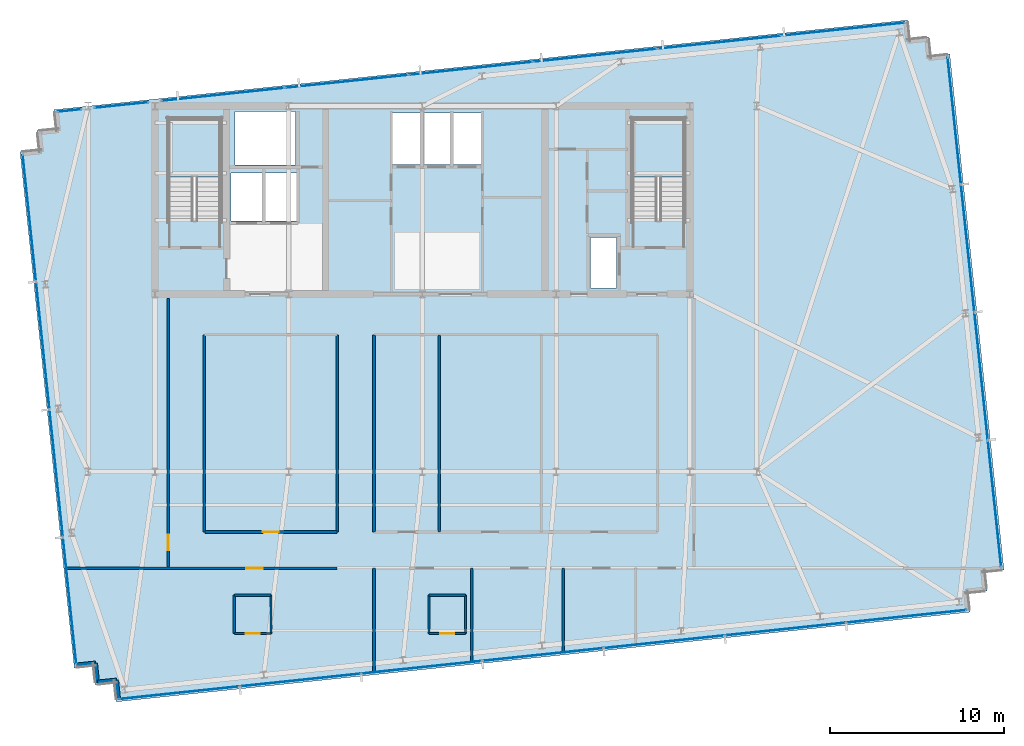
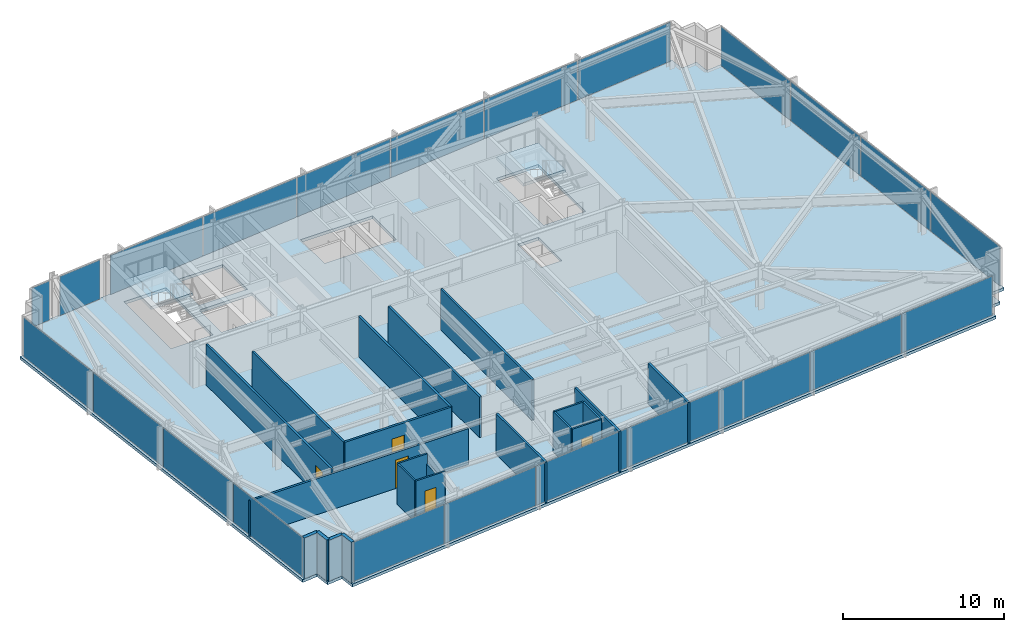
# One storey, part 26 of 32: 23 plates, 22 walls, 5 doors, 3 slabs, 5 openings, 8 elements without a shape of their own.
"""IFC4 building model written with IfcOpenShell, lengths in metres."""

from ifc_helpers import new_model, si_unit, direction, frame, frame_2d, origin, origin_2d, place, context, subcontext, project, spatial, polyline, rectangle, outline, extrude, material, layer, layer_set, type_object, element, fill, aggregate, save


model = new_model("IFC4")

# Units and contexts
model_context = context("Model", 3, precision=1e-05, world=origin(), true_north=direction((0.0, 1.0)))
body_context = subcontext(model_context, "Body", "Model", "MODEL_VIEW")
ifc_project = project(units=[si_unit("LENGTHUNIT", "METRE"), si_unit("AREAUNIT", "SQUARE_METRE"), si_unit("VOLUMEUNIT", "CUBIC_METRE"), si_unit("PLANEANGLEUNIT", "RADIAN"), si_unit("MASSUNIT", "GRAM", prefix="KILO")], contexts=[model_context])

# Site, building, storey
site_placement = place(None, origin())
site = spatial("IfcSite", under=ifc_project, at=site_placement, CompositionType="ELEMENT")
building_placement = place(site_placement, origin())
building = spatial("IfcBuilding", under=site, at=building_placement, Name="Yelkora Congress Tower", CompositionType="ELEMENT")
storey_placement = place(building_placement, frame((0.0, 0.0, 211.10009765625)))
storey = spatial("IfcBuildingStorey", under=building, at=storey_placement, Name="L58", CompositionType="ELEMENT", Elevation=211.10009765625)

# Curtain wall, plates
ifc_material_1 = material(Name="Anodised aluminium and insulated glass", Category="aluminium")
curtain_wall_type = type_object("IfcCurtainWallType", Name="CW-SYS-B4", PredefinedType="NOTDEFINED", material=ifc_material_1)
curtain_wall_1_placement = place(storey_placement, origin())
curtain_wall_1 = element("IfcCurtainWall", 1, at=curtain_wall_1_placement, inside=storey, type_object=curtain_wall_type, Name="L58 Unitised Curtain Wall 5", PredefinedType="NOTDEFINED")
ifc_material_2 = material(Name="Triple-silver diplomatic glass unit B4", Category="glass")
ifc_layer_1 = layer(ifc_material_2, 0.035888671875)
ifc_layer_set_1 = layer_set([ifc_layer_1], Name="Triple-silver diplomatic glass unit B4")
plate_type = type_object("IfcPlateType", Name="PLT-PN-B4", PredefinedType="CURTAIN_PANEL", material=ifc_layer_set_1)
plate_1_placement = place(storey_placement, frame((18.139404296875, 17.7724609375, 0.059814453125), z_axis=(0.0, 0.0, 1.0), x_axis=(-0.104526079034, 0.994522145958, 0.0)))
plate_1 = element("IfcPlate", 2, at=plate_1_placement, type_object=plate_type, Name="CW-B4 panel 1.1", PredefinedType="CURTAIN_PANEL", context=body_context, shape_type="SweptSolid", body=[
    extrude(rectangle(XDim=7.282470703125, YDim=0.035888671875, at=origin_2d()), origin(), (0.0, 0.0, 1.0), 2.9599609375),
])
plate_2_placement = place(storey_placement, frame((17.36962890625, 25.095703125, 0.059814453125), z_axis=(0.0, 0.0, 1.0), x_axis=(-0.104526079034, 0.994522145958, 0.0)))
plate_2 = element("IfcPlate", 3, at=plate_2_placement, type_object=plate_type, Name="CW-B4 panel 2.1", PredefinedType="CURTAIN_PANEL", context=body_context, shape_type="SweptSolid", body=[
    extrude(rectangle(XDim=7.31494140625, YDim=0.035888671875, at=origin_2d()), origin(), (0.0, 0.0, 1.0), 2.9599609375),
])
plate_3_placement = place(storey_placement, frame((16.59814453125, 32.435302734375, 0.059814453125), z_axis=(0.0, 0.0, 1.0), x_axis=(-0.104526079034, 0.994522145958, 0.0)))
plate_3 = element("IfcPlate", 4, at=plate_3_placement, type_object=plate_type, Name="CW-B4 panel 3.1", PredefinedType="CURTAIN_PANEL", context=body_context, shape_type="SweptSolid", body=[
    extrude(rectangle(XDim=7.31494140625, YDim=0.035888671875, at=origin_2d()), origin(), (0.0, 0.0, 1.0), 2.9599609375),
])
plate_4_placement = place(storey_placement, frame((15.82861328125, 39.7587890625, 0.059814453125), z_axis=(0.0, 0.0, 1.0), x_axis=(-0.104526079034, 0.994522145958, 0.0)))
plate_4 = element("IfcPlate", 5, at=plate_4_placement, type_object=plate_type, Name="CW-B4 panel 4.1", PredefinedType="CURTAIN_PANEL", context=body_context, shape_type="SweptSolid", body=[
    extrude(rectangle(XDim=7.282470703125, YDim=0.035888671875, at=origin_2d()), origin(), (0.0, 0.0, 1.0), 2.9599609375),
])
aggregate(curtain_wall_1, [plate_1, plate_2, plate_3, plate_4])

# Curtain wall, plate
curtain_wall_2_placement = place(storey_placement, origin())
curtain_wall_2 = element("IfcCurtainWall", 6, at=curtain_wall_2_placement, inside=storey, type_object=curtain_wall_type, Name="L58 Unitised Curtain Wall 10 (1)", PredefinedType="NOTDEFINED")
plate_5_placement = place(storey_placement, frame((18.136474609375, 45.940185546875, 0.059814453125), z_axis=(0.0, 0.0, 1.0), x_axis=(0.994523910137, 0.104509292244, 0.0)))
plate_5 = element("IfcPlate", 7, at=plate_5_placement, type_object=plate_type, Name="CW-B4 panel 1.1", PredefinedType="CURTAIN_PANEL", context=body_context, shape_type="SweptSolid", body=[
    extrude(rectangle(XDim=1.35302734375, YDim=0.035888671875, at=origin_2d()), origin(), (0.0, 0.0, 1.0), 2.9599609375),
])
aggregate(curtain_wall_2, [plate_5])

curtain_wall_3_placement = place(storey_placement, origin())
curtain_wall_3 = element("IfcCurtainWall", 8, at=curtain_wall_3_placement, inside=storey, type_object=curtain_wall_type, Name="L58 Unitised Curtain Wall 10 (2)", PredefinedType="NOTDEFINED")
plate_6_placement = place(storey_placement, frame((21.1201171875, 46.253662109375, 0.059814453125), z_axis=(0.0, 0.0, 1.0), x_axis=(0.994524239868, 0.104506154437, 0.0)))
plate_6 = element("IfcPlate", 9, at=plate_6_placement, type_object=plate_type, Name="CW-B4 panel 1.1", PredefinedType="CURTAIN_PANEL", context=body_context, shape_type="SweptSolid", body=[
    extrude(rectangle(XDim=3.075439453125, YDim=0.035888671875, at=origin_2d()), origin(), (0.0, 0.0, 1.0), 2.9599609375),
])
aggregate(curtain_wall_3, [plate_6])

# Curtain wall, plates
curtain_wall_4_placement = place(storey_placement, origin())
curtain_wall_4 = element("IfcCurtainWall", 10, at=curtain_wall_4_placement, inside=storey, type_object=curtain_wall_type, Name="L58 Unitised Curtain Wall 10 (3)", PredefinedType="NOTDEFINED")
plate_7_placement = place(storey_placement, frame((26.947509765625, 46.8662109375, 0.059814453125), z_axis=(0.0, 0.0, 1.0), x_axis=(0.994521973066, 0.104527724021, 0.0)))
plate_7 = element("IfcPlate", 11, at=plate_7_placement, type_object=plate_type, Name="CW-B4 panel 1.1", PredefinedType="CURTAIN_PANEL", context=body_context, shape_type="SweptSolid", body=[
    extrude(rectangle(XDim=7.072509765625, YDim=0.035888671875, at=origin_2d()), origin(), (0.0, 0.0, 1.0), 2.9599609375),
])
plate_8_placement = place(storey_placement, frame((34.06201171875, 47.614013671875, 0.059814453125), z_axis=(0.0, 0.0, 1.0), x_axis=(0.994521973066, 0.104527724021, 0.0)))
plate_8 = element("IfcPlate", 12, at=plate_8_placement, type_object=plate_type, Name="CW-B4 panel 2.1", PredefinedType="CURTAIN_PANEL", context=body_context, shape_type="SweptSolid", body=[
    extrude(rectangle(XDim=7.10498046875, YDim=0.035888671875, at=origin_2d()), origin(), (0.0, 0.0, 1.0), 2.9599609375),
])
plate_9_placement = place(storey_placement, frame((41.19287109375, 48.363525390625, 0.059814453125), z_axis=(0.0, 0.0, 1.0), x_axis=(0.994521973066, 0.104527724021, 0.0)))
plate_9 = element("IfcPlate", 13, at=plate_9_placement, type_object=plate_type, Name="CW-B4 panel 3.1", PredefinedType="CURTAIN_PANEL", context=body_context, shape_type="SweptSolid", body=[
    extrude(rectangle(XDim=7.10498046875, YDim=0.035888671875, at=origin_2d()), origin(), (0.0, 0.0, 1.0), 2.9599609375),
])
plate_10_placement = place(storey_placement, frame((48.32373046875, 49.113037109375, 0.059814453125), z_axis=(0.0, 0.0, 1.0), x_axis=(0.994521973066, 0.104527724021, 0.0)))
plate_10 = element("IfcPlate", 14, at=plate_10_placement, type_object=plate_type, Name="CW-B4 panel 4.1", PredefinedType="CURTAIN_PANEL", context=body_context, shape_type="SweptSolid", body=[
    extrude(rectangle(XDim=7.10498046875, YDim=0.035888671875, at=origin_2d()), origin(), (0.0, 0.0, 1.0), 2.9599609375),
])
plate_11_placement = place(storey_placement, frame((55.454345703125, 49.8623046875, 0.059814453125), z_axis=(0.0, 0.0, 1.0), x_axis=(0.994521973066, 0.104527724021, 0.0)))
plate_11 = element("IfcPlate", 15, at=plate_11_placement, type_object=plate_type, Name="CW-B4 panel 5.1", PredefinedType="CURTAIN_PANEL", context=body_context, shape_type="SweptSolid", body=[
    extrude(rectangle(XDim=7.10498046875, YDim=0.035888671875, at=origin_2d()), origin(), (0.0, 0.0, 1.0), 2.9599609375),
])
plate_12_placement = place(storey_placement, frame((62.56884765625, 50.610107421875, 0.059814453125), z_axis=(0.0, 0.0, 1.0), x_axis=(0.994521973066, 0.104527724021, 0.0)))
plate_12 = element("IfcPlate", 16, at=plate_12_placement, type_object=plate_type, Name="CW-B4 panel 6.1", PredefinedType="CURTAIN_PANEL", context=body_context, shape_type="SweptSolid", body=[
    extrude(rectangle(XDim=7.072509765625, YDim=0.035888671875, at=origin_2d()), origin(), (0.0, 0.0, 1.0), 2.9599609375),
])
aggregate(curtain_wall_4, [plate_7, plate_8, plate_9, plate_10, plate_11, plate_12])

curtain_wall_5_placement = place(storey_placement, origin())
curtain_wall_5 = element("IfcCurtainWall", 17, at=curtain_wall_5_placement, inside=storey, type_object=curtain_wall_type, Name="L58 Unitised Curtain Wall 15", PredefinedType="NOTDEFINED")
plate_13_placement = place(storey_placement, frame((68.955810546875, 45.3427734375, 0.059814453125), z_axis=(0.0, 0.0, 1.0), x_axis=(0.104525726898, -0.994522182968, 0.0)))
plate_13 = element("IfcPlate", 18, at=plate_13_placement, type_object=plate_type, Name="CW-B4 panel 1.1", PredefinedType="CURTAIN_PANEL", context=body_context, shape_type="SweptSolid", body=[
    extrude(rectangle(XDim=7.282470703125, YDim=0.035888671875, at=origin_2d()), origin(), (0.0, 0.0, 1.0), 2.9599609375),
])
plate_14_placement = place(storey_placement, frame((69.7255859375, 38.019287109375, 0.059814453125), z_axis=(0.0, 0.0, 1.0), x_axis=(0.104525726898, -0.994522182968, 0.0)))
plate_14 = element("IfcPlate", 19, at=plate_14_placement, type_object=plate_type, Name="CW-B4 panel 2.1", PredefinedType="CURTAIN_PANEL", context=body_context, shape_type="SweptSolid", body=[
    extrude(rectangle(XDim=7.31494140625, YDim=0.035888671875, at=origin_2d()), origin(), (0.0, 0.0, 1.0), 2.9599609375),
])
plate_15_placement = place(storey_placement, frame((70.496826171875, 30.6796875, 0.059814453125), z_axis=(0.0, 0.0, 1.0), x_axis=(0.104525726898, -0.994522182968, 0.0)))
plate_15 = element("IfcPlate", 20, at=plate_15_placement, type_object=plate_type, Name="CW-B4 panel 3.1", PredefinedType="CURTAIN_PANEL", context=body_context, shape_type="SweptSolid", body=[
    extrude(rectangle(XDim=7.31494140625, YDim=0.035888671875, at=origin_2d()), origin(), (0.0, 0.0, 1.0), 2.9599609375),
])
plate_16_placement = place(storey_placement, frame((71.2666015625, 23.356201171875, 0.059814453125), z_axis=(0.0, 0.0, 1.0), x_axis=(0.104525726898, -0.994522182968, 0.0)))
plate_16 = element("IfcPlate", 21, at=plate_16_placement, type_object=plate_type, Name="CW-B4 panel 4.1", PredefinedType="CURTAIN_PANEL", context=body_context, shape_type="SweptSolid", body=[
    extrude(rectangle(XDim=7.282470703125, YDim=0.035888671875, at=origin_2d()), origin(), (0.0, 0.0, 1.0), 2.9599609375),
])
aggregate(curtain_wall_5, [plate_13, plate_14, plate_15, plate_16])

curtain_wall_6_placement = place(storey_placement, origin())
curtain_wall_6 = element("IfcCurtainWall", 22, at=curtain_wall_6_placement, inside=storey, type_object=curtain_wall_type, Name="L58 Unitised Curtain Wall 20", PredefinedType="NOTDEFINED")
plate_17_placement = place(storey_placement, frame((66.19775390625, 16.884765625, 0.059814453125), z_axis=(0.0, 0.0, 1.0), x_axis=(-0.994522084373, -0.104526664994, 0.0)))
plate_17 = element("IfcPlate", 23, at=plate_17_placement, type_object=plate_type, Name="CW-B4 panel 1.1", PredefinedType="CURTAIN_PANEL", context=body_context, shape_type="SweptSolid", body=[
    extrude(rectangle(XDim=6.9052734375, YDim=0.035888671875, at=origin_2d()), origin(), (0.0, 0.0, 1.0), 2.9599609375),
])
plate_18_placement = place(storey_placement, frame((59.249267578125, 16.154541015625, 0.059814453125), z_axis=(0.0, 0.0, 1.0), x_axis=(-0.994522084373, -0.104526664994, 0.0)))
plate_18 = element("IfcPlate", 24, at=plate_18_placement, type_object=plate_type, Name="CW-B4 panel 2.1", PredefinedType="CURTAIN_PANEL", context=body_context, shape_type="SweptSolid", body=[
    extrude(rectangle(XDim=6.937744140625, YDim=0.035888671875, at=origin_2d()), origin(), (0.0, 0.0, 1.0), 2.9599609375),
])
plate_19_placement = place(storey_placement, frame((52.284912109375, 15.42236328125, 0.059814453125), z_axis=(0.0, 0.0, 1.0), x_axis=(-0.994522084373, -0.104526664994, 0.0)))
plate_19 = element("IfcPlate", 25, at=plate_19_placement, type_object=plate_type, Name="CW-B4 panel 3.1", PredefinedType="CURTAIN_PANEL", context=body_context, shape_type="SweptSolid", body=[
    extrude(rectangle(XDim=6.937744140625, YDim=0.035888671875, at=origin_2d()), origin(), (0.0, 0.0, 1.0), 2.9599609375),
])
plate_20_placement = place(storey_placement, frame((45.3203125, 14.6904296875, 0.059814453125), z_axis=(0.0, 0.0, 1.0), x_axis=(-0.994522084373, -0.104526664994, 0.0)))
plate_20 = element("IfcPlate", 26, at=plate_20_placement, type_object=plate_type, Name="CW-B4 panel 4.1", PredefinedType="CURTAIN_PANEL", context=body_context, shape_type="SweptSolid", body=[
    extrude(rectangle(XDim=6.937744140625, YDim=0.035888671875, at=origin_2d()), origin(), (0.0, 0.0, 1.0), 2.9599609375),
])
plate_21_placement = place(storey_placement, frame((38.35595703125, 13.95849609375, 0.059814453125), z_axis=(0.0, 0.0, 1.0), x_axis=(-0.994522084373, -0.104526664994, 0.0)))
plate_21 = element("IfcPlate", 27, at=plate_21_placement, type_object=plate_type, Name="CW-B4 panel 5.1", PredefinedType="CURTAIN_PANEL", context=body_context, shape_type="SweptSolid", body=[
    extrude(rectangle(XDim=6.937744140625, YDim=0.035888671875, at=origin_2d()), origin(), (0.0, 0.0, 1.0), 2.9599609375),
])
plate_22_placement = place(storey_placement, frame((31.391357421875, 13.2265625, 0.059814453125), z_axis=(0.0, 0.0, 1.0), x_axis=(-0.994522084373, -0.104526664994, 0.0)))
plate_22 = element("IfcPlate", 28, at=plate_22_placement, type_object=plate_type, Name="CW-B4 panel 6.1", PredefinedType="CURTAIN_PANEL", context=body_context, shape_type="SweptSolid", body=[
    extrude(rectangle(XDim=6.937744140625, YDim=0.035888671875, at=origin_2d()), origin(), (0.0, 0.0, 1.0), 2.9599609375),
])
plate_23_placement = place(storey_placement, frame((24.443115234375, 12.49609375, 0.059814453125), z_axis=(0.0, 0.0, 1.0), x_axis=(-0.994522084373, -0.104526664994, 0.0)))
plate_23 = element("IfcPlate", 29, at=plate_23_placement, type_object=plate_type, Name="CW-B4 panel 7.1", PredefinedType="CURTAIN_PANEL", context=body_context, shape_type="SweptSolid", body=[
    extrude(rectangle(XDim=6.9052734375, YDim=0.035888671875, at=origin_2d()), origin(), (0.0, 0.0, 1.0), 2.9599609375),
])
aggregate(curtain_wall_6, [plate_17, plate_18, plate_19, plate_20, plate_21, plate_22, plate_23])

# Stair, slab
ifc_material_3 = material(Name="Concrete C40/50", Category="concrete")
stair_type = type_object("IfcStairType", Name="STAIR-HT-1420-R20-165", PredefinedType="HALF_TURN_STAIR", material=ifc_material_3)
stair_1_placement = place(storey_placement, origin())
stair_1 = element("IfcStair", 30, at=stair_1_placement, inside=storey, type_object=stair_type, Name="West Core Protected Exit Stair ST-01 (L58)", PredefinedType="HALF_TURN_STAIR")
ifc_layer_2 = layer(ifc_material_3, 0.219970703125)
ifc_layer_set_2 = layer_set([ifc_layer_2], Name="Concrete C40/50")
slab_type_1 = type_object("IfcSlabType", Name="SLAB-LANDING-220", PredefinedType="LANDING", material=ifc_layer_set_2)
slab_1_placement = place(storey_placement, frame((0.0, 0.0, 1.429931640625)))
slab_1 = element("IfcSlab", 31, at=slab_1_placement, type_object=slab_type_1, Name="ST-01 L58 Half Landing 1", PredefinedType="LANDING", context=body_context, shape_type="SweptSolid", body=[
    extrude(outline(polyline([(26.820068359375, 42.1201171875), (26.820068359375, 45.469970703125), (23.820068359375, 45.469970703125), (23.820068359375, 42.1201171875), (26.820068359375, 42.1201171875)])), origin(), (0.0, 0.0, 1.0), 0.219970703125),
])
aggregate(stair_1, [slab_1])

stair_2_placement = place(storey_placement, origin())
stair_2 = element("IfcStair", 32, at=stair_2_placement, inside=storey, type_object=stair_type, Name="East Core Protected Exit Stair ST-02 (L58)", PredefinedType="HALF_TURN_STAIR")
slab_2_placement = place(storey_placement, frame((0.0, 0.0, 1.429931640625)))
slab_2 = element("IfcSlab", 33, at=slab_2_placement, type_object=slab_type_1, Name="ST-02 L58 Half Landing 1", PredefinedType="LANDING", context=body_context, shape_type="SweptSolid", body=[
    extrude(outline(polyline([(53.4599609375, 42.1201171875), (53.4599609375, 45.469970703125), (50.4599609375, 45.469970703125), (50.4599609375, 42.1201171875), (53.4599609375, 42.1201171875)])), origin(), (0.0, 0.0, 1.0), 0.219970703125),
])
aggregate(stair_2, [slab_2])

# Slab
ifc_layer_3 = layer(ifc_material_3, 0.219970703125)
ifc_layer_set_3 = layer_set([ifc_layer_3], Name="Concrete C40/50")
slab_type_2 = type_object("IfcSlabType", Name="SLAB-TWR-220", PredefinedType="FLOOR", material=ifc_layer_set_3)
slab_3_placement = place(storey_placement, frame((0.0, 0.0, -0.22021484375)))
element("IfcSlab", 34, at=slab_3_placement, inside=storey, type_object=slab_type_2, Name="L58 Structural Floor Slab", PredefinedType="FLOOR", context=body_context, shape_type="SweptSolid", body=[
    extrude(outline(polyline([(20.820068359375, 11.974609375), (69.85009765625, 17.127685546875), (69.735107421875, 18.2216796875), (70.828857421875, 18.3369140625), (70.714111328125, 19.430908203125), (71.807861328125, 19.545654296875), (68.693115234375, 49.1826171875), (67.59912109375, 49.0673828125), (67.48388671875, 50.16162109375), (66.39013671875, 50.04638671875), (66.275146484375, 51.140380859375), (17.2451171875, 45.9873046875), (17.360107421875, 44.893310546875), (16.26611328125, 44.7783203125), (16.381103515625, 43.684326171875), (15.287109375, 43.5693359375), (18.402099609375, 13.9326171875), (19.49609375, 14.047607421875), (19.611083984375, 12.95361328125), (20.705078125, 13.068603515625), (20.820068359375, 11.974609375)]), holes=[polyline([(23.820068359375, 39.6298828125), (26.820068359375, 39.6298828125), (26.820068359375, 45.469970703125), (23.820068359375, 45.469970703125), (23.820068359375, 39.6298828125)]), polyline([(50.4599609375, 39.6298828125), (53.4599609375, 39.6298828125), (53.4599609375, 45.469970703125), (50.4599609375, 45.469970703125), (50.4599609375, 39.6298828125)]), polyline([(48.050048828125, 35.75), (49.550048828125, 35.75), (49.550048828125, 38.64990234375), (48.050048828125, 38.64990234375), (48.050048828125, 35.75)]), polyline([(36.64990234375, 42.85009765625), (41.800048828125, 42.85009765625), (41.800048828125, 45.800048828125), (36.64990234375, 45.800048828125), (36.64990234375, 42.85009765625)]), polyline([(27.419921875, 39.60009765625), (31.179931640625, 39.60009765625), (31.179931640625, 42.35009765625), (27.419921875, 42.35009765625), (27.419921875, 39.60009765625)]), polyline([(27.64990234375, 42.820068359375), (31.1201171875, 42.820068359375), (31.1201171875, 45.8798828125), (27.64990234375, 45.8798828125), (27.64990234375, 42.820068359375)])]), origin(), (0.0, 0.0, 1.0), 0.22021484375),
])

# Walls
ifc_layer_4 = layer(ifc_material_3, 0.239990234375)
ifc_layer_set_4 = layer_set([ifc_layer_4], Name="Concrete C40/50")
wall_type_1 = type_object("IfcWallType", Name="WALL-EXT-LIMESTONE-240", PredefinedType="SOLIDWALL", material=ifc_layer_set_4)
for number, where, z_axis, x_axis, name in (
    (35, (20.944580078125, 12.12841796875, 0.0), (0.0, 0.0, 1.0), (-0.104534592565, 0.994521251134, 0.0), "L58 Serrated Corner Limestone Pier 1"),
    (36, (20.82958984375, 13.222412109375, 0.0), (0.0, 0.0, 1.0), (-0.994521251134, -0.104534592565, 0.0), "L58 Serrated Corner Limestone Pier 2"),
    (37, (19.735595703125, 13.107421875, 0.0), (0.0, 0.0, 1.0), (-0.104534592565, 0.994521251134, 0.0), "L58 Serrated Corner Limestone Pier 3"),
    (38, (19.62060546875, 14.201416015625, 0.0), (0.0, 0.0, 1.0), (-0.994521251134, -0.104534592565, 0.0), "L58 Serrated Corner Limestone Pier 4"),
):
    element("IfcWall", number, at=place(storey_placement, frame(where, z_axis=z_axis, x_axis=x_axis)), inside=storey, type_object=wall_type_1, Name=name, PredefinedType="SOLIDWALL", context=body_context, shape_type="SweptSolid", body=[
        extrude(rectangle(XDim=1.10009765625, YDim=0.239990234375, at=frame_2d((0.550048828125, 0.0))), origin(), (0.0, 0.0, 1.0), 3.079833984375),
    ])
ifc_material_4 = material(Name="Moisture-resistant gypsum partition", Category="gypsum")
ifc_layer_5 = layer(ifc_material_4, 0.1201171875)
ifc_layer_set_5 = layer_set([ifc_layer_5], Name="Moisture-resistant gypsum partition")
wall_type_2 = type_object("IfcWallType", Name="WALL-INT-120-NR", PredefinedType="PARTITIONING", material=ifc_layer_set_5)
wall_1_placement = place(storey_placement, frame((27.594970703125, 18.10009765625, 0.0), z_axis=(0.0, 0.0, 1.0), x_axis=(1.0, 0.0, 0.0)))
element("IfcWall", 39, at=wall_1_placement, inside=storey, type_object=wall_type_2, Name="L58 Partition Wall 23", PredefinedType="PARTITIONING", context=body_context, shape_type="SweptSolid", body=[
    extrude(rectangle(XDim=2.10009765625, YDim=0.1201171875, at=frame_2d((1.050048828125, 0.0))), origin(), (0.0, 0.0, 1.0), 3.079833984375),
])
wall_2_placement = place(storey_placement, frame((27.594970703125, 15.89990234375, 0.0), z_axis=(0.0, 0.0, 1.0), x_axis=(0.0, 1.0, 0.0)))
element("IfcWall", 40, at=wall_2_placement, inside=storey, type_object=wall_type_2, Name="L58 Partition Wall 24", PredefinedType="PARTITIONING", context=body_context, shape_type="SweptSolid", body=[
    extrude(rectangle(XDim=2.2001953125, YDim=0.1201171875, at=frame_2d((1.10009765625, 0.0))), origin(), (0.0, 0.0, 1.0), 3.079833984375),
])
wall_3_placement = place(storey_placement, frame((29.695068359375, 15.89990234375, 0.0), z_axis=(0.0, 0.0, 1.0), x_axis=(0.0, 1.0, 0.0)))
element("IfcWall", 41, at=wall_3_placement, inside=storey, type_object=wall_type_2, Name="L58 Partition Wall 25", PredefinedType="PARTITIONING", context=body_context, shape_type="SweptSolid", body=[
    extrude(rectangle(XDim=2.2001953125, YDim=0.1201171875, at=frame_2d((1.10009765625, 0.0))), origin(), (0.0, 0.0, 1.0), 2.31298828125),
])

# Wall, opening, door
wall_4_placement = place(storey_placement, frame((27.594970703125, 15.89990234375, 0.0), z_axis=(0.0, 0.0, 1.0), x_axis=(1.0, 0.0, 0.0)))
wall_4 = element("IfcWall", 42, at=wall_4_placement, inside=storey, type_object=wall_type_2, Name="L58 Partition Wall 26", PredefinedType="PARTITIONING", context=body_context, shape_type="SweptSolid", body=[
    extrude(rectangle(XDim=2.10009765625, YDim=0.1201171875, at=frame_2d((1.050048828125, 0.0))), origin(), (0.0, 0.0, 1.0), 3.079833984375),
])
opening_1_placement = place(wall_4_placement, frame((0.64990234375, 0.0, 0.0)))
opening_1 = element("IfcOpeningElement", 43, at=opening_1_placement, cuts=wall_4, Name="Opening DR-080B", PredefinedType="OPENING", context=body_context, shape_type="SweptSolid", body=[
    extrude(rectangle(XDim=0.800048828125, YDim=2.10009765625, at=frame_2d((0.39990234375, 1.050048828125))), frame((0.0, 0.070068359375, 0.0), z_axis=(0.0, -1.0, 0.0), x_axis=(1.0, 0.0, 0.0)), (0.0, 0.0, 1.0), 0.14013671875),
])
ifc_material_5 = material(Name="Moisture-sealed en-suite timber door", Category="wood")
door_type_1 = type_object("IfcDoorType", Name="DOOR-BATH-800", OperationType="NOTDEFINED", PredefinedType="DOOR", material=ifc_material_5)
door_1_placement = place(opening_1_placement, origin())
door_1 = element("IfcDoor", 44, at=door_1_placement, inside=storey, type_object=door_type_1, Name="L58 En-suite Door 1", OperationType="SINGLE_SWING_RIGHT", OverallHeight=2.10009765625, OverallWidth=0.800048828125, PredefinedType="DOOR", context=body_context, shape_type="SweptSolid", body=[
    extrude(rectangle(XDim=0.800048828125, YDim=2.10009765625, at=frame_2d((0.39990234375, 1.050048828125))), frame((0.0, 0.02490234375, 0.0), z_axis=(0.0, -1.0, 0.0), x_axis=(1.0, 0.0, 0.0)), (0.0, 0.0, 1.0), 0.050048828125),
])
fill(opening_1, door_1)

# Walls
wall_5_placement = place(storey_placement, frame((38.7880859375, 18.10009765625, 0.0), z_axis=(0.0, 0.0, 1.0), x_axis=(1.0, 0.0, 0.0)))
element("IfcWall", 45, at=wall_5_placement, inside=storey, type_object=wall_type_2, Name="L58 Partition Wall 27", PredefinedType="PARTITIONING", context=body_context, shape_type="SweptSolid", body=[
    extrude(rectangle(XDim=2.099853515625, YDim=0.1201171875, at=frame_2d((1.0498046875, 0.0))), origin(), (0.0, 0.0, 1.0), 3.079833984375),
])
for number, where, z_axis, x_axis, name in (
    (46, (38.7880859375, 15.89990234375, 0.0), (0.0, 0.0, 1.0), (0.0, 1.0, 0.0), "L58 Partition Wall 28"),
    (47, (40.887939453125, 15.89990234375, 0.0), (0.0, 0.0, 1.0), (0.0, 1.0, 0.0), "L58 Partition Wall 29"),
):
    element("IfcWall", number, at=place(storey_placement, frame(where, z_axis=z_axis, x_axis=x_axis)), inside=storey, type_object=wall_type_2, Name=name, PredefinedType="PARTITIONING", context=body_context, shape_type="SweptSolid", body=[
        extrude(rectangle(XDim=2.2001953125, YDim=0.1201171875, at=frame_2d((1.10009765625, 0.0))), origin(), (0.0, 0.0, 1.0), 3.079833984375),
    ])

# Wall, opening, door
wall_6_placement = place(storey_placement, frame((38.7880859375, 15.89990234375, 0.0), z_axis=(0.0, 0.0, 1.0), x_axis=(1.0, 0.0, 0.0)))
wall_6 = element("IfcWall", 48, at=wall_6_placement, inside=storey, type_object=wall_type_2, Name="L58 Partition Wall 30", PredefinedType="PARTITIONING", context=body_context, shape_type="SweptSolid", body=[
    extrude(rectangle(XDim=2.099853515625, YDim=0.1201171875, at=frame_2d((1.0498046875, 0.0))), origin(), (0.0, 0.0, 1.0), 3.079833984375),
])
opening_2_placement = place(wall_6_placement, frame((0.64990234375, 0.0, 0.0)))
opening_2 = element("IfcOpeningElement", 49, at=opening_2_placement, cuts=wall_6, Name="Opening DR-080B", PredefinedType="OPENING", context=body_context, shape_type="SweptSolid", body=[
    extrude(rectangle(XDim=0.800048828125, YDim=2.10009765625, at=frame_2d((0.39990234375, 1.050048828125))), frame((0.0, 0.070068359375, 0.0), z_axis=(0.0, -1.0, 0.0), x_axis=(1.0, 0.0, 0.0)), (0.0, 0.0, 1.0), 0.14013671875),
])
door_2_placement = place(opening_2_placement, origin())
door_2 = element("IfcDoor", 50, at=door_2_placement, inside=storey, type_object=door_type_1, Name="L58 En-suite Door 3", OperationType="SINGLE_SWING_LEFT", OverallHeight=2.10009765625, OverallWidth=0.800048828125, PredefinedType="DOOR", context=body_context, shape_type="SweptSolid", body=[
    extrude(rectangle(XDim=0.800048828125, YDim=2.10009765625, at=frame_2d((0.39990234375, 1.050048828125))), frame((0.0, 0.02490234375, 0.0), z_axis=(0.0, -1.0, 0.0), x_axis=(1.0, 0.0, 0.0)), (0.0, 0.0, 1.0), 0.050048828125),
])
fill(opening_2, door_2)

ifc_material_6 = material(Name="Acoustic metal-stud gypsum partition", Category="gypsum")
ifc_layer_6 = layer(ifc_material_6, 0.14990234375)
ifc_layer_set_6 = layer_set([ifc_layer_6], Name="Acoustic metal-stud gypsum partition")
wall_type_3 = type_object("IfcWallType", Name="WALL-INT-150-NR", PredefinedType="PARTITIONING", material=ifc_layer_set_6)
wall_7_placement = place(storey_placement, frame((23.800048828125, 19.64990234375, 0.0), z_axis=(0.0, 0.0, 1.0), x_axis=(0.0, 1.0, 0.0)))
wall_7 = element("IfcWall", 51, at=wall_7_placement, inside=storey, type_object=wall_type_3, Name="L58 Partition Wall 37", PredefinedType="PARTITIONING", context=body_context, shape_type="SweptSolid", body=[
    extrude(rectangle(XDim=15.489990234375, YDim=0.14990234375, at=frame_2d((7.7451171875, 0.0))), origin(), (0.0, 0.0, 1.0), 3.079833984375),
])
opening_3_placement = place(wall_7_placement, frame((1.030029296875, 0.0, 0.0)))
opening_3 = element("IfcOpeningElement", 52, at=opening_3_placement, cuts=wall_7, Name="Opening DR-090N", PredefinedType="OPENING", context=body_context, shape_type="SweptSolid", body=[
    extrude(rectangle(XDim=0.89990234375, YDim=2.14990234375, at=frame_2d((0.449951171875, 1.074951171875))), frame((0.0, 0.0849609375, 0.0), z_axis=(0.0, -1.0, 0.0), x_axis=(1.0, 0.0, 0.0)), (0.0, 0.0, 1.0), 0.169921875),
])
ifc_material_7 = material(Name="Moisture-resistant laminate door leaf", Category="wood")
door_type_2 = type_object("IfcDoorType", Name="DOOR-INT-900", OperationType="NOTDEFINED", PredefinedType="DOOR", material=ifc_material_7)
door_3_placement = place(opening_3_placement, origin())
door_3 = element("IfcDoor", 53, at=door_3_placement, inside=storey, type_object=door_type_2, Name="L58 W Wing Door", OperationType="SINGLE_SWING_LEFT", OverallHeight=2.14990234375, OverallWidth=0.89990234375, PredefinedType="DOOR", context=body_context, shape_type="SweptSolid", body=[
    extrude(rectangle(XDim=0.89990234375, YDim=2.14990234375, at=frame_2d((0.449951171875, 1.074951171875))), frame((0.0, 0.02490234375, 0.0), z_axis=(0.0, -1.0, 0.0), x_axis=(1.0, 0.0, 0.0)), (0.0, 0.0, 1.0), 0.050048828125),
])
fill(opening_3, door_3)

# Walls
for number, where, z_axis, x_axis, name in (
    (54, (25.8798828125, 21.72998046875, 0.0), (0.0, 0.0, 1.0), (0.0, 1.0, 0.0), "L58 Partition Wall 39"),
    (55, (33.5, 21.72998046875, 0.0), (0.0, 0.0, 1.0), (0.0, 1.0, 0.0), "L58 Partition Wall 41"),
    (56, (35.6201171875, 21.72998046875, 0.0), (0.0, 0.0, 1.0), (0.0, 1.0, 0.0), "L58 Partition Wall 42"),
):
    element("IfcWall", number, at=place(storey_placement, frame(where, z_axis=z_axis, x_axis=x_axis)), inside=storey, type_object=wall_type_3, Name=name, PredefinedType="PARTITIONING", context=body_context, shape_type="SweptSolid", body=[
        extrude(rectangle(XDim=11.320068359375, YDim=0.14990234375, at=frame_2d((5.66015625, 0.0))), origin(), (0.0, 0.0, 1.0), 3.079833984375),
    ])

# Wall, opening, door
wall_8_placement = place(storey_placement, frame((25.89990234375, 21.72998046875, 0.0), z_axis=(0.0, 0.0, 1.0), x_axis=(1.0, 0.0, 0.0)))
wall_8 = element("IfcWall", 57, at=wall_8_placement, inside=storey, type_object=wall_type_3, Name="L58 Partition Wall 45", PredefinedType="PARTITIONING", context=body_context, shape_type="SweptSolid", body=[
    extrude(rectangle(XDim=7.590087890625, YDim=0.14990234375, at=frame_2d((3.794921875, 0.0))), origin(), (0.0, 0.0, 1.0), 3.079833984375),
])
opening_4_placement = place(wall_8_placement, frame((3.344970703125, 0.0, 0.0)))
opening_4 = element("IfcOpeningElement", 58, at=opening_4_placement, cuts=wall_8, Name="Opening DR-090N", PredefinedType="OPENING", context=body_context, shape_type="SweptSolid", body=[
    extrude(rectangle(XDim=0.89990234375, YDim=2.14990234375, at=frame_2d((0.449951171875, 1.074951171875))), frame((0.0, 0.0849609375, 0.0), z_axis=(0.0, -1.0, 0.0), x_axis=(1.0, 0.0, 0.0)), (0.0, 0.0, 1.0), 0.169921875),
])
door_4_placement = place(opening_4_placement, origin())
door_4 = element("IfcDoor", 59, at=door_4_placement, inside=storey, type_object=door_type_2, Name="L58 Housekeeping & Linen Room Door", OperationType="SINGLE_SWING_LEFT", OverallHeight=2.14990234375, OverallWidth=0.89990234375, PredefinedType="DOOR", context=body_context, shape_type="SweptSolid", body=[
    extrude(rectangle(XDim=0.89990234375, YDim=2.14990234375, at=frame_2d((0.449951171875, 1.074951171875))), frame((0.0, 0.02490234375, 0.0), z_axis=(0.0, -1.0, 0.0), x_axis=(1.0, 0.0, 0.0)), (0.0, 0.0, 1.0), 0.050048828125),
])
fill(opening_4, door_4)

# Walls
wall_9_placement = place(storey_placement, frame((39.3720703125, 21.72998046875, 0.0), z_axis=(0.0, 0.0, 1.0), x_axis=(0.0, 1.0, 0.0)))
element("IfcWall", 60, at=wall_9_placement, inside=storey, type_object=wall_type_3, Name="L58 Partition Wall 46", PredefinedType="PARTITIONING", context=body_context, shape_type="SweptSolid", body=[
    extrude(rectangle(XDim=11.320068359375, YDim=0.14990234375, at=frame_2d((5.66015625, 0.0))), origin(), (0.0, 0.0, 1.0), 3.079833984375),
])
ifc_material_8 = material(Name="Twin-stud fire-rated gypsum partition", Category="gypsum")
ifc_layer_7 = layer(ifc_material_8, 0.14990234375)
ifc_layer_set_7 = layer_set([ifc_layer_7], Name="Twin-stud fire-rated gypsum partition")
wall_type_4 = type_object("IfcWallType", Name="WALL-INT-150-R60", PredefinedType="PARTITIONING", material=ifc_layer_set_7)
wall_10_placement = place(storey_placement, frame((35.6201171875, 13.610595703125, 0.0), z_axis=(0.0, 0.0, 1.0), x_axis=(0.0, 1.0, 0.0)))
element("IfcWall", 61, at=wall_10_placement, inside=storey, type_object=wall_type_4, Name="L58 Partition Wall 31", PredefinedType="PARTITIONING", context=body_context, shape_type="SweptSolid", body=[
    extrude(rectangle(XDim=6.059326171875, YDim=0.14990234375, at=frame_2d((3.02978515625, 0.0))), origin(), (0.0, 0.0, 1.0), 3.079833984375),
])
wall_11_placement = place(storey_placement, frame((41.238037109375, 14.200927734375, 0.0), z_axis=(0.0, 0.0, 1.0), x_axis=(0.0, 1.0, 0.0)))
element("IfcWall", 62, at=wall_11_placement, inside=storey, type_object=wall_type_4, Name="L58 Partition Wall 32", PredefinedType="PARTITIONING", context=body_context, shape_type="SweptSolid", body=[
    extrude(rectangle(XDim=5.468994140625, YDim=0.14990234375, at=frame_2d((2.734375, 0.0))), origin(), (0.0, 0.0, 1.0), 3.079833984375),
])
wall_12_placement = place(storey_placement, frame((46.498046875, 14.75390625, 0.0), z_axis=(0.0, 0.0, 1.0), x_axis=(0.0, 1.0, 0.0)))
element("IfcWall", 63, at=wall_12_placement, inside=storey, type_object=wall_type_4, Name="L58 Partition Wall 33", PredefinedType="PARTITIONING", context=body_context, shape_type="SweptSolid", body=[
    extrude(rectangle(XDim=4.916015625, YDim=0.14990234375, at=frame_2d((2.4580078125, 0.0))), origin(), (0.0, 0.0, 1.0), 3.079833984375),
])

# Wall, opening, door
wall_13_placement = place(storey_placement, frame((17.881591796875, 19.64990234375, 0.0), z_axis=(0.0, 0.0, 1.0), x_axis=(1.0, 0.0, 0.0)))
wall_13 = element("IfcWall", 64, at=wall_13_placement, inside=storey, type_object=wall_type_4, Name="L58 South Spine Wall West", PredefinedType="PARTITIONING", context=body_context, shape_type="SweptSolid", body=[
    extrude(rectangle(XDim=15.618408203125, YDim=0.14990234375, at=frame_2d((7.80908203125, 0.0))), origin(), (0.0, 0.0, 1.0), 2.71484375),
])
opening_5_placement = place(wall_13_placement, frame((10.4033203125, 0.0, 0.0)))
opening_5 = element("IfcOpeningElement", 65, at=opening_5_placement, cuts=wall_13, Name="Opening DR-095F6", PredefinedType="OPENING", context=body_context, shape_type="SweptSolid", body=[
    extrude(rectangle(XDim=0.949951171875, YDim=2.14990234375, at=frame_2d((0.47509765625, 1.074951171875))), frame((0.0, 0.0849609375, 0.0), z_axis=(0.0, -1.0, 0.0), x_axis=(1.0, 0.0, 0.0)), (0.0, 0.0, 1.0), 0.169921875),
])
ifc_material_9 = material(Name="Acoustic oak-veneer fire door leaf", Category="wood")
door_type_3 = type_object("IfcDoorType", Name="DOOR-FD60-950", OperationType="NOTDEFINED", PredefinedType="DOOR", material=ifc_material_9)
door_5_placement = place(opening_5_placement, origin())
door_5 = element("IfcDoor", 66, at=door_5_placement, inside=storey, type_object=door_type_3, Name="L58 Diplomatic Suite 01 Entry Door", OperationType="SINGLE_SWING_RIGHT", OverallHeight=2.14990234375, OverallWidth=0.949951171875, PredefinedType="DOOR", context=body_context, shape_type="SweptSolid", body=[
    extrude(rectangle(XDim=0.949951171875, YDim=2.14990234375, at=frame_2d((0.47509765625, 1.074951171875))), frame((0.0, 0.02490234375, 0.0), z_axis=(0.0, -1.0, 0.0), x_axis=(1.0, 0.0, 0.0)), (0.0, 0.0, 1.0), 0.050048828125),
])
fill(opening_5, door_5)

save(model, "model.ifc")
